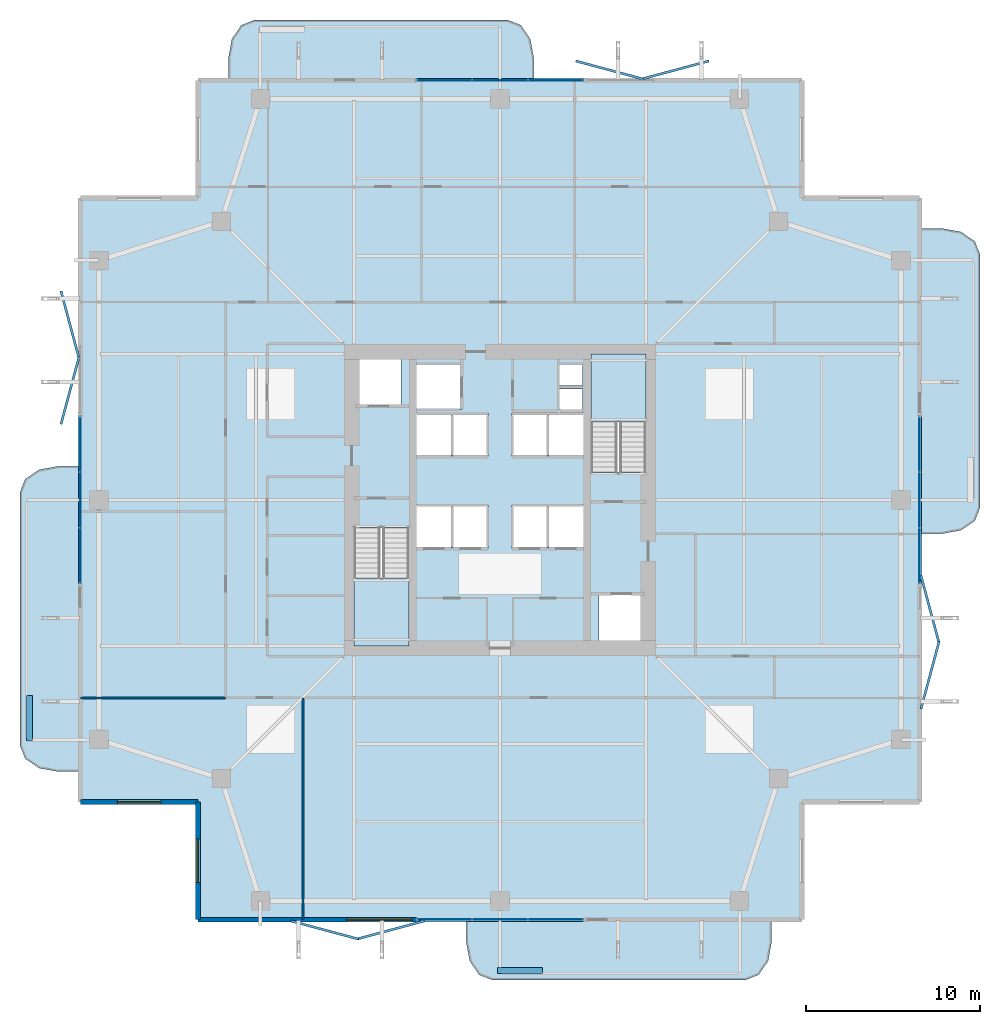
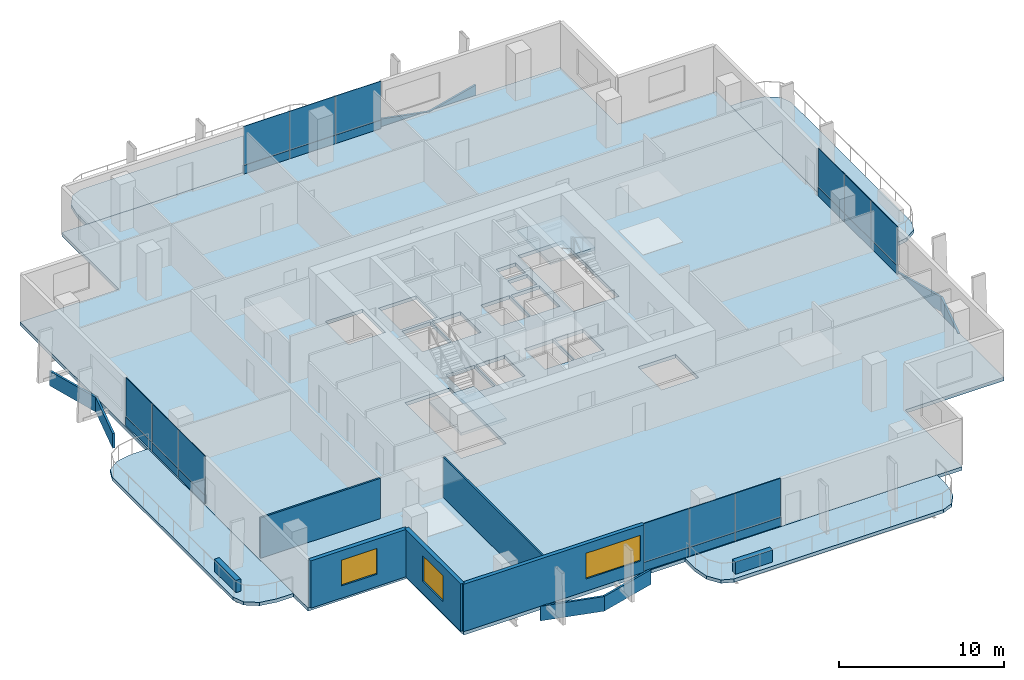
# One storey, part 17 of 24: 32 plates, 7 slabs, 7 walls, 3 windows, 3 openings, 6 elements without a shape of their own.
"""IFC4 building model written with IfcOpenShell, lengths in metres."""

from ifc_helpers import new_model, si_unit, direction, frame, frame_2d, origin, origin_2d, place, context, subcontext, project, spatial, polyline, rectangle, outline, extrude, material, layer, layer_set, type_object, element, fill, aggregate, save


model = new_model("IFC4")

# Units and contexts
model_context = context("Model", 3, precision=1e-05, world=origin(), true_north=direction((0.0, 1.0)))
body_context = subcontext(model_context, "Body", "Model", "MODEL_VIEW")
ifc_project = project(units=[si_unit("LENGTHUNIT", "METRE"), si_unit("AREAUNIT", "SQUARE_METRE"), si_unit("VOLUMEUNIT", "CUBIC_METRE"), si_unit("PLANEANGLEUNIT", "RADIAN"), si_unit("MASSUNIT", "GRAM", prefix="KILO")], contexts=[model_context])

# Site, building, storey
site_placement = place(None, origin())
site = spatial("IfcSite", under=ifc_project, at=site_placement, CompositionType="ELEMENT")
building_placement = place(site_placement, origin())
building = spatial("IfcBuilding", under=site, at=building_placement, Name="Belovzor Exchange Tower", CompositionType="ELEMENT")
storey_placement = place(building_placement, frame((0.0, 0.0, 145.800048828125)))
storey = spatial("IfcBuildingStorey", under=building, at=storey_placement, Name="L35", CompositionType="ELEMENT", Elevation=145.800048828125)

# Slab
ifc_material_1 = material(Name="Concrete C40/50", Category="concrete")
ifc_layer_1 = layer(ifc_material_1, 0.2548828125)
ifc_layer_set_1 = layer_set([ifc_layer_1], Name="Concrete C40/50")
slab_type_1 = type_object("IfcSlabType", Name="Composite Waist Floor Deck Slab 255", PredefinedType="FLOOR", material=ifc_layer_set_1)
slab_1_placement = place(storey_placement, frame((0.0, 0.0, -0.255126953125)))
element("IfcSlab", 1, at=slab_1_placement, inside=storey, type_object=slab_type_1, Name="SL-F255 Structural Slab L35", PredefinedType="FLOOR", context=body_context, shape_type="SweptSolid", body=[
    extrude(outline(polyline([(11.39990234375, 4.5), (46.199951171875, 4.5), (46.199951171875, 11.39990234375), (53.10009765625, 11.39990234375), (53.10009765625, 46.199951171875), (46.199951171875, 46.199951171875), (46.199951171875, 53.10009765625), (11.39990234375, 53.10009765625), (11.39990234375, 46.199951171875), (4.5, 46.199951171875), (4.5, 11.39990234375), (11.39990234375, 11.39990234375), (11.39990234375, 4.5)]), holes=[polyline([(20.39990234375, 27.175048828125), (20.39990234375, 20.39990234375), (23.550048828125, 20.39990234375), (23.550048828125, 27.175048828125), (20.39990234375, 27.175048828125)]), polyline([(37.199951171875, 30.425048828125), (37.199951171875, 37.199951171875), (34.050048828125, 37.199951171875), (34.050048828125, 30.425048828125), (37.199951171875, 30.425048828125)]), polyline([(20.5, 34.199951171875), (23.10009765625, 34.199951171875), (23.10009765625, 37.0), (20.5, 37.0), (20.5, 34.199951171875)]), polyline([(34.5, 20.60009765625), (37.10009765625, 20.60009765625), (37.10009765625, 23.39990234375), (34.5, 23.39990234375), (34.5, 20.60009765625)]), polyline([(24.0, 34.0), (26.60009765625, 34.0), (26.60009765625, 36.60009765625), (24.0, 36.60009765625), (24.0, 34.0)]), polyline([(24.0, 26.0), (26.0, 26.0), (26.0, 28.5), (24.0, 28.5), (24.0, 26.0)]), polyline([(26.10009765625, 26.0), (28.10009765625, 26.0), (28.10009765625, 28.5), (26.10009765625, 28.5), (26.10009765625, 26.0)]), polyline([(29.5, 26.0), (31.5, 26.0), (31.5, 28.5), (29.5, 28.5), (29.5, 26.0)]), polyline([(31.60009765625, 26.0), (33.60009765625, 26.0), (33.60009765625, 28.5), (31.60009765625, 28.5), (31.60009765625, 26.0)]), polyline([(24.0, 31.300048828125), (26.0, 31.300048828125), (26.0, 33.800048828125), (24.0, 33.800048828125), (24.0, 31.300048828125)]), polyline([(26.10009765625, 31.300048828125), (28.10009765625, 31.300048828125), (28.10009765625, 33.800048828125), (26.10009765625, 33.800048828125), (26.10009765625, 31.300048828125)]), polyline([(29.5, 31.300048828125), (31.5, 31.300048828125), (31.5, 33.800048828125), (29.5, 33.800048828125), (29.5, 31.300048828125)]), polyline([(31.60009765625, 31.300048828125), (33.60009765625, 31.300048828125), (33.60009765625, 33.800048828125), (31.60009765625, 33.800048828125), (31.60009765625, 31.300048828125)]), polyline([(32.199951171875, 34.0), (33.550048828125, 34.0), (33.550048828125, 35.199951171875), (32.199951171875, 35.199951171875), (32.199951171875, 34.0)]), polyline([(32.199951171875, 35.39990234375), (33.550048828125, 35.39990234375), (33.550048828125, 36.60009765625), (32.199951171875, 36.60009765625), (32.199951171875, 35.39990234375)])]), origin(), (0.0, 0.0, 1.0), 0.255126953125),
])

# Curtain wall, plates
ifc_material_2 = material(Name="Anodised Aluminium Framing", Category="aluminium")
ifc_layer_2 = layer(ifc_material_2, 0.179931640625)
ifc_layer_set_2 = layer_set([ifc_layer_2], Name="Anodised Aluminium Framing")
curtain_wall_type = type_object("IfcCurtainWallType", Name="Recessed Loggia Low-Iron Triple-Glazed Curtain Wall", PredefinedType="NOTDEFINED", material=ifc_layer_set_2)
curtain_wall_1_placement = place(storey_placement, origin())
curtain_wall_1 = element("IfcCurtainWall", 2, at=curtain_wall_1_placement, inside=storey, type_object=curtain_wall_type, Name="CW3 Recessed Loggia Low-Iron Triple-Glazed Curtain Wall L35", PredefinedType="NOTDEFINED")
ifc_material_3 = material(Name="Solar-Control Triple Glazing", Category="glass")
ifc_layer_3 = layer(ifc_material_3, 0.0439453125)
ifc_layer_set_3 = layer_set([ifc_layer_3], Name="Solar-Control Triple Glazing")
plate_type_1 = type_object("IfcPlateType", Name="Insulated Solar Glazing Curtain Panel 44", PredefinedType="CURTAIN_PANEL", material=ifc_layer_set_3)
plate_1_placement = place(storey_placement, frame((32.0, 4.6298828125, 0.630859375), z_axis=(0.0, 0.0, 1.0), x_axis=(-1.0, 0.0, 0.0)))
plate_1 = element("IfcPlate", 3, at=plate_1_placement, type_object=plate_type_1, Name="GLZ-44 Glazed Curtain Panel 1", PredefinedType="CURTAIN_PANEL", context=body_context, shape_type="SweptSolid", body=[
    extrude(rectangle(XDim=3.18408203125, YDim=0.0439453125, at=origin_2d()), origin(), (0.0, 0.0, 1.0), 2.864013671875),
])
plate_2_placement = place(storey_placement, frame((28.800048828125, 4.6298828125, 0.630859375), z_axis=(0.0, 0.0, 1.0), x_axis=(-1.0, 0.0, 0.0)))
plate_2 = element("IfcPlate", 4, at=plate_2_placement, type_object=plate_type_1, Name="GLZ-44 Glazed Curtain Panel 2", PredefinedType="CURTAIN_PANEL", context=body_context, shape_type="SweptSolid", body=[
    extrude(rectangle(XDim=3.18408203125, YDim=0.0439453125, at=origin_2d()), origin(), (0.0, 0.0, 1.0), 2.864013671875),
])
plate_3_placement = place(storey_placement, frame((25.60009765625, 4.6298828125, 0.630859375), z_axis=(0.0, 0.0, 1.0), x_axis=(-1.0, 0.0, 0.0)))
plate_3 = element("IfcPlate", 5, at=plate_3_placement, type_object=plate_type_1, Name="GLZ-44 Glazed Curtain Panel 3", PredefinedType="CURTAIN_PANEL", context=body_context, shape_type="SweptSolid", body=[
    extrude(rectangle(XDim=3.18408203125, YDim=0.0439453125, at=origin_2d()), origin(), (0.0, 0.0, 1.0), 2.864013671875),
])

curtain_wall_2_placement = place(storey_placement, origin())
curtain_wall_2 = element("IfcCurtainWall", 6, at=curtain_wall_2_placement, inside=storey, type_object=curtain_wall_type, Name="CW3 Recessed Loggia Low-Iron Triple-Glazed Curtain Wall L35", PredefinedType="NOTDEFINED")
plate_4_placement = place(storey_placement, frame((25.60009765625, 52.969970703125, 0.630859375), z_axis=(0.0, 0.0, 1.0), x_axis=(1.0, 0.0, 0.0)))
plate_4 = element("IfcPlate", 7, at=plate_4_placement, type_object=plate_type_1, Name="GLZ-44 Glazed Curtain Panel 1", PredefinedType="CURTAIN_PANEL", context=body_context, shape_type="SweptSolid", body=[
    extrude(rectangle(XDim=3.18408203125, YDim=0.0439453125, at=origin_2d()), origin(), (0.0, 0.0, 1.0), 2.864013671875),
])
plate_5_placement = place(storey_placement, frame((28.800048828125, 52.969970703125, 0.630859375), z_axis=(0.0, 0.0, 1.0), x_axis=(1.0, 0.0, 0.0)))
plate_5 = element("IfcPlate", 8, at=plate_5_placement, type_object=plate_type_1, Name="GLZ-44 Glazed Curtain Panel 2", PredefinedType="CURTAIN_PANEL", context=body_context, shape_type="SweptSolid", body=[
    extrude(rectangle(XDim=3.18408203125, YDim=0.0439453125, at=origin_2d()), origin(), (0.0, 0.0, 1.0), 2.864013671875),
])
plate_6_placement = place(storey_placement, frame((32.0, 52.969970703125, 0.630859375), z_axis=(0.0, 0.0, 1.0), x_axis=(1.0, 0.0, 0.0)))
plate_6 = element("IfcPlate", 9, at=plate_6_placement, type_object=plate_type_1, Name="GLZ-44 Glazed Curtain Panel 3", PredefinedType="CURTAIN_PANEL", context=body_context, shape_type="SweptSolid", body=[
    extrude(rectangle(XDim=3.18408203125, YDim=0.0439453125, at=origin_2d()), origin(), (0.0, 0.0, 1.0), 2.864013671875),
])

curtain_wall_3_placement = place(storey_placement, origin())
curtain_wall_3 = element("IfcCurtainWall", 10, at=curtain_wall_3_placement, inside=storey, type_object=curtain_wall_type, Name="CW3 Recessed Loggia Low-Iron Triple-Glazed Curtain Wall L35", PredefinedType="NOTDEFINED")
plate_7_placement = place(storey_placement, frame((4.6298828125, 25.60009765625, 0.630859375), z_axis=(0.0, 0.0, 1.0), x_axis=(0.0, 1.0, 0.0)))
plate_7 = element("IfcPlate", 11, at=plate_7_placement, type_object=plate_type_1, Name="GLZ-44 Glazed Curtain Panel 1", PredefinedType="CURTAIN_PANEL", context=body_context, shape_type="SweptSolid", body=[
    extrude(rectangle(XDim=3.18408203125, YDim=0.0439453125, at=origin_2d()), origin(), (0.0, 0.0, 1.0), 2.864013671875),
])
plate_8_placement = place(storey_placement, frame((4.6298828125, 28.800048828125, 0.630859375), z_axis=(0.0, 0.0, 1.0), x_axis=(0.0, 1.0, 0.0)))
plate_8 = element("IfcPlate", 12, at=plate_8_placement, type_object=plate_type_1, Name="GLZ-44 Glazed Curtain Panel 2", PredefinedType="CURTAIN_PANEL", context=body_context, shape_type="SweptSolid", body=[
    extrude(rectangle(XDim=3.18408203125, YDim=0.0439453125, at=origin_2d()), origin(), (0.0, 0.0, 1.0), 2.864013671875),
])
plate_9_placement = place(storey_placement, frame((4.6298828125, 32.0, 0.630859375), z_axis=(0.0, 0.0, 1.0), x_axis=(0.0, 1.0, 0.0)))
plate_9 = element("IfcPlate", 13, at=plate_9_placement, type_object=plate_type_1, Name="GLZ-44 Glazed Curtain Panel 3", PredefinedType="CURTAIN_PANEL", context=body_context, shape_type="SweptSolid", body=[
    extrude(rectangle(XDim=3.18408203125, YDim=0.0439453125, at=origin_2d()), origin(), (0.0, 0.0, 1.0), 2.864013671875),
])

curtain_wall_4_placement = place(storey_placement, origin())
curtain_wall_4 = element("IfcCurtainWall", 14, at=curtain_wall_4_placement, inside=storey, type_object=curtain_wall_type, Name="CW3 Recessed Loggia Low-Iron Triple-Glazed Curtain Wall L35", PredefinedType="NOTDEFINED")
plate_10_placement = place(storey_placement, frame((52.969970703125, 32.0, 0.630859375), z_axis=(0.0, 0.0, 1.0), x_axis=(0.0, -1.0, 0.0)))
plate_10 = element("IfcPlate", 15, at=plate_10_placement, type_object=plate_type_1, Name="GLZ-44 Glazed Curtain Panel 1", PredefinedType="CURTAIN_PANEL", context=body_context, shape_type="SweptSolid", body=[
    extrude(rectangle(XDim=3.18408203125, YDim=0.0439453125, at=origin_2d()), origin(), (0.0, 0.0, 1.0), 2.864013671875),
])
plate_11_placement = place(storey_placement, frame((52.969970703125, 28.800048828125, 0.630859375), z_axis=(0.0, 0.0, 1.0), x_axis=(0.0, -1.0, 0.0)))
plate_11 = element("IfcPlate", 16, at=plate_11_placement, type_object=plate_type_1, Name="GLZ-44 Glazed Curtain Panel 2", PredefinedType="CURTAIN_PANEL", context=body_context, shape_type="SweptSolid", body=[
    extrude(rectangle(XDim=3.18408203125, YDim=0.0439453125, at=origin_2d()), origin(), (0.0, 0.0, 1.0), 2.864013671875),
])
plate_12_placement = place(storey_placement, frame((52.969970703125, 25.60009765625, 0.630859375), z_axis=(0.0, 0.0, 1.0), x_axis=(0.0, -1.0, 0.0)))
plate_12 = element("IfcPlate", 17, at=plate_12_placement, type_object=plate_type_1, Name="GLZ-44 Glazed Curtain Panel 3", PredefinedType="CURTAIN_PANEL", context=body_context, shape_type="SweptSolid", body=[
    extrude(rectangle(XDim=3.18408203125, YDim=0.0439453125, at=origin_2d()), origin(), (0.0, 0.0, 1.0), 2.864013671875),
])

# Plates
ifc_material_4 = material(Name="Extruded Architectural Terracotta", Category="masonry")
ifc_layer_4 = layer(ifc_material_4, 0.139892578125)
ifc_layer_set_4 = layer_set([ifc_layer_4], Name="Extruded Architectural Terracotta")
plate_type_2 = type_object("IfcPlateType", Name="Mid-Tower Folded Zigzag Terracotta Spandrel Louvre 120", PredefinedType="USERDEFINED", material=ifc_layer_set_4)
for number, where, z_axis, x_axis, name in (
    (18, (18.699951171875, 4.030029296875, -1.065185546875), (0.0, 0.0, 1.0), (0.965812803231, -0.259240485101, 0.0), "LVR-ZZ2 Zigzag Terracotta Spandrel Louvre L35 S1A"),
    (19, (22.5, 4.030029296875, -1.065185546875), (0.0, 0.0, 1.0), (0.965812803231, 0.259240485101, 0.0), "LVR-ZZ2 Zigzag Terracotta Spandrel Louvre L35 S1B"),
    (20, (53.570068359375, 18.699951171875, -1.065185546875), (0.0, 0.0, 1.0), (0.259240485101, 0.965812803231, 0.0), "LVR-ZZ2 Zigzag Terracotta Spandrel Louvre L35 E1A"),
    (21, (53.570068359375, 22.5, -1.065185546875), (0.0, 0.0, 1.0), (-0.259240485101, 0.965812803231, 0.0), "LVR-ZZ2 Zigzag Terracotta Spandrel Louvre L35 E1B"),
    (22, (35.10009765625, 53.570068359375, -1.065185546875), (0.0, 0.0, 1.0), (0.965812803231, -0.259240485101, 0.0), "LVR-ZZ2 Zigzag Terracotta Spandrel Louvre L35 N2A"),
    (23, (38.89990234375, 53.570068359375, -1.065185546875), (0.0, 0.0, 1.0), (0.965812803231, 0.259240485101, 0.0), "LVR-ZZ2 Zigzag Terracotta Spandrel Louvre L35 N2B"),
    (24, (4.030029296875, 35.10009765625, -1.065185546875), (0.0, 0.0, 1.0), (0.259240485101, 0.965812803231, 0.0), "LVR-ZZ2 Zigzag Terracotta Spandrel Louvre L35 W2A"),
    (25, (4.030029296875, 38.89990234375, -1.065185546875), (0.0, 0.0, 1.0), (-0.259240485101, 0.965812803231, 0.0), "LVR-ZZ2 Zigzag Terracotta Spandrel Louvre L35 W2B"),
):
    element("IfcPlate", number, at=place(storey_placement, frame(where, z_axis=z_axis, x_axis=x_axis)), inside=storey, type_object=plate_type_2, Name=name, ObjectType="SPANDREL_LOUVRE", PredefinedType="USERDEFINED", context=body_context, shape_type="SweptSolid", body=[
        extrude(rectangle(XDim=4.014892578125, YDim=0.139892578125, at=origin_2d()), origin(), (0.0, 0.0, 1.0), 1.080078125),
    ])

# Stair, slab
ifc_material_5 = material(Name="Concrete C40/50", Category="concrete")
stair_type = type_object("IfcStairType", Name="Reinforced Concrete Dogleg Escape Stair 1350", PredefinedType="HALF_TURN_STAIR", material=ifc_material_5)
stair_1_placement = place(storey_placement, origin())
stair_1 = element("IfcStair", 26, at=stair_1_placement, inside=storey, type_object=stair_type, Name="L35 ST-1", PredefinedType="HALF_TURN_STAIR")
ifc_material_6 = material(Name="Concrete C40/50", Category="concrete")
ifc_layer_5 = layer(ifc_material_6, 0.199951171875)
ifc_layer_set_5 = layer_set([ifc_layer_5], Name="Concrete C40/50")
slab_type_2 = type_object("IfcSlabType", Name="Reinforced Concrete Stair Half-Landing Slab 200", PredefinedType="LANDING", material=ifc_layer_set_5)
slab_2_placement = place(storey_placement, frame((0.0, 0.0, 1.675048828125)))
slab_2 = element("IfcSlab", 27, at=slab_2_placement, type_object=slab_type_2, Name="ST-1 landing 1", PredefinedType="LANDING", context=body_context, shape_type="SweptSolid", body=[
    extrude(outline(polyline([(20.39990234375, 24.300048828125), (20.39990234375, 20.39990234375), (23.550048828125, 20.39990234375), (23.550048828125, 24.300048828125), (20.39990234375, 24.300048828125)])), origin(), (0.0, 0.0, 1.0), 0.199951171875),
])
aggregate(stair_1, [slab_2])

stair_2_placement = place(storey_placement, origin())
stair_2 = element("IfcStair", 28, at=stair_2_placement, inside=storey, type_object=stair_type, Name="L35 ST-2", PredefinedType="HALF_TURN_STAIR")
slab_3_placement = place(storey_placement, frame((0.0, 0.0, 1.675048828125)))
slab_3 = element("IfcSlab", 29, at=slab_3_placement, type_object=slab_type_2, Name="ST-2 landing 1", PredefinedType="LANDING", context=body_context, shape_type="SweptSolid", body=[
    extrude(outline(polyline([(37.199951171875, 33.300048828125), (37.199951171875, 37.199951171875), (34.050048828125, 37.199951171875), (34.050048828125, 33.300048828125), (37.199951171875, 33.300048828125)])), origin(), (0.0, 0.0, 1.0), 0.199951171875),
])
aggregate(stair_2, [slab_3])

# Plate
ifc_material_7 = material(Name="Extruded Architectural Terracotta", Category="masonry")
ifc_layer_6 = layer(ifc_material_7, 0.090087890625)
ifc_layer_set_6 = layer_set([ifc_layer_6], Name="Extruded Architectural Terracotta")
plate_type_3 = type_object("IfcPlateType", Name="Terracotta Shadow-Box Spandrel Panel 90", PredefinedType="CURTAIN_PANEL", material=ifc_layer_set_6)
plate_13_placement = place(storey_placement, frame((32.0, 4.6298828125, 0.00048828125), z_axis=(0.0, 0.0, 1.0), x_axis=(-1.0, 0.0, 0.0)))
plate_13 = element("IfcPlate", 30, at=plate_13_placement, type_object=plate_type_3, Name="SPD-90 Spandrel Panel 1", PredefinedType="CURTAIN_PANEL", context=body_context, shape_type="SweptSolid", body=[
    extrude(rectangle(XDim=3.18408203125, YDim=0.090087890625, at=origin_2d()), origin(), (0.0, 0.0, 1.0), 0.626953125),
])

plate_14_placement = place(storey_placement, frame((28.800048828125, 4.6298828125, 0.00048828125), z_axis=(0.0, 0.0, 1.0), x_axis=(-1.0, 0.0, 0.0)))
plate_14 = element("IfcPlate", 31, at=plate_14_placement, type_object=plate_type_3, Name="SPD-90 Spandrel Panel 2", PredefinedType="CURTAIN_PANEL", context=body_context, shape_type="SweptSolid", body=[
    extrude(rectangle(XDim=3.18408203125, YDim=0.090087890625, at=origin_2d()), origin(), (0.0, 0.0, 1.0), 0.626953125),
])

plate_15_placement = place(storey_placement, frame((25.60009765625, 4.6298828125, 0.00048828125), z_axis=(0.0, 0.0, 1.0), x_axis=(-1.0, 0.0, 0.0)))
plate_15 = element("IfcPlate", 32, at=plate_15_placement, type_object=plate_type_3, Name="SPD-90 Spandrel Panel 3", PredefinedType="CURTAIN_PANEL", context=body_context, shape_type="SweptSolid", body=[
    extrude(rectangle(XDim=3.18408203125, YDim=0.090087890625, at=origin_2d()), origin(), (0.0, 0.0, 1.0), 0.626953125),
])

aggregate(curtain_wall_1, [plate_13, plate_1, plate_14, plate_2, plate_15, plate_3])

plate_16_placement = place(storey_placement, frame((25.60009765625, 52.969970703125, 0.00048828125), z_axis=(0.0, 0.0, 1.0), x_axis=(1.0, 0.0, 0.0)))
plate_16 = element("IfcPlate", 33, at=plate_16_placement, type_object=plate_type_3, Name="SPD-90 Spandrel Panel 1", PredefinedType="CURTAIN_PANEL", context=body_context, shape_type="SweptSolid", body=[
    extrude(rectangle(XDim=3.18408203125, YDim=0.090087890625, at=origin_2d()), origin(), (0.0, 0.0, 1.0), 0.626953125),
])

plate_17_placement = place(storey_placement, frame((28.800048828125, 52.969970703125, 0.00048828125), z_axis=(0.0, 0.0, 1.0), x_axis=(1.0, 0.0, 0.0)))
plate_17 = element("IfcPlate", 34, at=plate_17_placement, type_object=plate_type_3, Name="SPD-90 Spandrel Panel 2", PredefinedType="CURTAIN_PANEL", context=body_context, shape_type="SweptSolid", body=[
    extrude(rectangle(XDim=3.18408203125, YDim=0.090087890625, at=origin_2d()), origin(), (0.0, 0.0, 1.0), 0.626953125),
])

plate_18_placement = place(storey_placement, frame((32.0, 52.969970703125, 0.00048828125), z_axis=(0.0, 0.0, 1.0), x_axis=(1.0, 0.0, 0.0)))
plate_18 = element("IfcPlate", 35, at=plate_18_placement, type_object=plate_type_3, Name="SPD-90 Spandrel Panel 3", PredefinedType="CURTAIN_PANEL", context=body_context, shape_type="SweptSolid", body=[
    extrude(rectangle(XDim=3.18408203125, YDim=0.090087890625, at=origin_2d()), origin(), (0.0, 0.0, 1.0), 0.626953125),
])

aggregate(curtain_wall_2, [plate_16, plate_4, plate_17, plate_5, plate_18, plate_6])

plate_19_placement = place(storey_placement, frame((4.6298828125, 25.60009765625, 0.00048828125), z_axis=(0.0, 0.0, 1.0), x_axis=(0.0, 1.0, 0.0)))
plate_19 = element("IfcPlate", 36, at=plate_19_placement, type_object=plate_type_3, Name="SPD-90 Spandrel Panel 1", PredefinedType="CURTAIN_PANEL", context=body_context, shape_type="SweptSolid", body=[
    extrude(rectangle(XDim=3.18408203125, YDim=0.090087890625, at=origin_2d()), origin(), (0.0, 0.0, 1.0), 0.626953125),
])

plate_20_placement = place(storey_placement, frame((4.6298828125, 28.800048828125, 0.00048828125), z_axis=(0.0, 0.0, 1.0), x_axis=(0.0, 1.0, 0.0)))
plate_20 = element("IfcPlate", 37, at=plate_20_placement, type_object=plate_type_3, Name="SPD-90 Spandrel Panel 2", PredefinedType="CURTAIN_PANEL", context=body_context, shape_type="SweptSolid", body=[
    extrude(rectangle(XDim=3.18408203125, YDim=0.090087890625, at=origin_2d()), origin(), (0.0, 0.0, 1.0), 0.626953125),
])

plate_21_placement = place(storey_placement, frame((4.6298828125, 32.0, 0.00048828125), z_axis=(0.0, 0.0, 1.0), x_axis=(0.0, 1.0, 0.0)))
plate_21 = element("IfcPlate", 38, at=plate_21_placement, type_object=plate_type_3, Name="SPD-90 Spandrel Panel 3", PredefinedType="CURTAIN_PANEL", context=body_context, shape_type="SweptSolid", body=[
    extrude(rectangle(XDim=3.18408203125, YDim=0.090087890625, at=origin_2d()), origin(), (0.0, 0.0, 1.0), 0.626953125),
])

aggregate(curtain_wall_3, [plate_19, plate_7, plate_20, plate_8, plate_21, plate_9])

plate_22_placement = place(storey_placement, frame((52.969970703125, 32.0, 0.00048828125), z_axis=(0.0, 0.0, 1.0), x_axis=(0.0, -1.0, 0.0)))
plate_22 = element("IfcPlate", 39, at=plate_22_placement, type_object=plate_type_3, Name="SPD-90 Spandrel Panel 1", PredefinedType="CURTAIN_PANEL", context=body_context, shape_type="SweptSolid", body=[
    extrude(rectangle(XDim=3.18408203125, YDim=0.090087890625, at=origin_2d()), origin(), (0.0, 0.0, 1.0), 0.626953125),
])

plate_23_placement = place(storey_placement, frame((52.969970703125, 28.800048828125, 0.00048828125), z_axis=(0.0, 0.0, 1.0), x_axis=(0.0, -1.0, 0.0)))
plate_23 = element("IfcPlate", 40, at=plate_23_placement, type_object=plate_type_3, Name="SPD-90 Spandrel Panel 2", PredefinedType="CURTAIN_PANEL", context=body_context, shape_type="SweptSolid", body=[
    extrude(rectangle(XDim=3.18408203125, YDim=0.090087890625, at=origin_2d()), origin(), (0.0, 0.0, 1.0), 0.626953125),
])

plate_24_placement = place(storey_placement, frame((52.969970703125, 25.60009765625, 0.00048828125), z_axis=(0.0, 0.0, 1.0), x_axis=(0.0, -1.0, 0.0)))
plate_24 = element("IfcPlate", 41, at=plate_24_placement, type_object=plate_type_3, Name="SPD-90 Spandrel Panel 3", PredefinedType="CURTAIN_PANEL", context=body_context, shape_type="SweptSolid", body=[
    extrude(rectangle(XDim=3.18408203125, YDim=0.090087890625, at=origin_2d()), origin(), (0.0, 0.0, 1.0), 0.626953125),
])

aggregate(curtain_wall_4, [plate_22, plate_10, plate_23, plate_11, plate_24, plate_12])

# Slabs
ifc_material_8 = material(Name="Concrete C40/50", Category="concrete")
ifc_layer_7 = layer(ifc_material_8, 0.25)
ifc_layer_set_7 = layer_set([ifc_layer_7], Name="Concrete C40/50")
slab_type_3 = type_object("IfcSlabType", Name="Thermally Broken Planted Balcony Slab 250", PredefinedType="FLOOR", material=ifc_layer_set_7)
slab_4_placement = place(storey_placement, frame((0.0, 0.0, -0.25)))
element("IfcSlab", 42, at=slab_4_placement, inside=storey, type_object=slab_type_3, Name="SL-BAL220 Planted Balcony Loggia L35 South", PredefinedType="FLOOR", context=body_context, shape_type="SweptSolid", body=[
    extrude(outline(polyline([(26.85009765625, 4.514892578125), (26.85009765625, 3.35009765625), (27.051025390625, 2.25), (27.60009765625, 1.445068359375), (28.35009765625, 1.14990234375), (42.949951171875, 1.14990234375), (43.699951171875, 1.445068359375), (44.2490234375, 2.25), (44.449951171875, 3.35009765625), (44.449951171875, 4.514892578125), (26.85009765625, 4.514892578125)])), origin(), (0.0, 0.0, 1.0), 0.25),
])
slab_5_placement = place(storey_placement, frame((0.0, 0.0, -0.25)))
element("IfcSlab", 43, at=slab_5_placement, inside=storey, type_object=slab_type_3, Name="SL-BAL220 Planted Balcony Loggia L35 North", PredefinedType="FLOOR", context=body_context, shape_type="SweptSolid", body=[
    extrude(outline(polyline([(30.75, 53.0849609375), (30.75, 54.25), (30.549072265625, 55.35009765625), (30.0, 56.155029296875), (29.25, 56.449951171875), (14.64990234375, 56.449951171875), (13.89990234375, 56.155029296875), (13.35107421875, 55.35009765625), (13.14990234375, 54.25), (13.14990234375, 53.0849609375), (30.75, 53.0849609375)])), origin(), (0.0, 0.0, 1.0), 0.25),
])
slab_6_placement = place(storey_placement, frame((0.0, 0.0, -0.25)))
element("IfcSlab", 44, at=slab_6_placement, inside=storey, type_object=slab_type_3, Name="SL-BAL220 Planted Balcony Loggia L35 East", PredefinedType="FLOOR", context=body_context, shape_type="SweptSolid", body=[
    extrude(outline(polyline([(53.0849609375, 26.85009765625), (54.25, 26.85009765625), (55.35009765625, 27.051025390625), (56.155029296875, 27.60009765625), (56.449951171875, 28.35009765625), (56.449951171875, 42.949951171875), (56.155029296875, 43.699951171875), (55.35009765625, 44.2490234375), (54.25, 44.449951171875), (53.0849609375, 44.449951171875), (53.0849609375, 26.85009765625)])), origin(), (0.0, 0.0, 1.0), 0.25),
])
slab_7_placement = place(storey_placement, frame((0.0, 0.0, -0.25)))
element("IfcSlab", 45, at=slab_7_placement, inside=storey, type_object=slab_type_3, Name="SL-BAL220 Planted Balcony Loggia L35 West", PredefinedType="FLOOR", context=body_context, shape_type="SweptSolid", body=[
    extrude(outline(polyline([(4.514892578125, 30.75), (3.35009765625, 30.75), (2.25, 30.549072265625), (1.445068359375, 30.0), (1.14990234375, 29.25), (1.14990234375, 14.64990234375), (1.445068359375, 13.89990234375), (2.25, 13.35107421875), (3.35009765625, 13.14990234375), (4.514892578125, 13.14990234375), (4.514892578125, 30.75)])), origin(), (0.0, 0.0, 1.0), 0.25),
])

# Walls
ifc_material_9 = material(Name="Acoustic Plasterboard on Galvanised Studs", Category="gypsum")
ifc_layer_8 = layer(ifc_material_9, 0.1201171875)
ifc_layer_set_8 = layer_set([ifc_layer_8], Name="Acoustic Plasterboard on Galvanised Studs")
wall_type_1 = type_object("IfcWallType", Name="Acoustic Double-Stud Partition Wall 120", PredefinedType="PARTITIONING", material=ifc_layer_set_8)
wall_1_placement = place(storey_placement, frame((17.4599609375, 4.6298828125, 0.0), z_axis=(0.0, 0.0, 1.0), x_axis=(0.0, 1.0, 0.0)))
element("IfcWall", 46, at=wall_1_placement, inside=storey, type_object=wall_type_1, Name="W-P120 Partition Wall W-L35-SDIV-1", PredefinedType="PARTITIONING", context=body_context, shape_type="SweptSolid", body=[
    extrude(rectangle(XDim=12.77001953125, YDim=0.1201171875, at=frame_2d((6.385009765625, 0.0))), origin(), (0.0, 0.0, 1.0), 2.97998046875),
])
wall_2_placement = place(storey_placement, frame((4.6298828125, 17.39990234375, 0.0), z_axis=(0.0, 0.0, 1.0), x_axis=(1.0, 0.0, 0.0)))
element("IfcWall", 47, at=wall_2_placement, inside=storey, type_object=wall_type_1, Name="W-P120 Partition Wall W-L35-END-SW", PredefinedType="PARTITIONING", context=body_context, shape_type="SweptSolid", body=[
    extrude(rectangle(XDim=8.3701171875, YDim=0.1201171875, at=frame_2d((4.18505859375, 0.0))), origin(), (0.0, 0.0, 1.0), 2.97998046875),
])

# Wall, opening, window
ifc_material_10 = material(Name="Precast concrete C40/50", Category="concrete")
ifc_layer_9 = layer(ifc_material_10, 0.280029296875)
ifc_layer_set_9 = layer_set([ifc_layer_9], Name="Precast concrete C40/50")
wall_type_2 = type_object("IfcWallType", Name="Precast Concrete Notched Corner Frame Wall 280", PredefinedType="SOLIDWALL", material=ifc_layer_set_9)
wall_3_placement = place(storey_placement, frame((11.39990234375, 4.6298828125, 0.0), z_axis=(0.0, 0.0, 1.0), x_axis=(0.0, 1.0, 0.0)))
wall_3 = element("IfcWall", 48, at=wall_3_placement, inside=storey, type_object=wall_type_2, Name="W-CRN280 Precast Concrete Notched Corner Frame Wall 280 L35", PredefinedType="SOLIDWALL", context=body_context, shape_type="SweptSolid", body=[
    extrude(rectangle(XDim=6.77001953125, YDim=0.280029296875, at=frame_2d((3.385009765625, 0.0))), origin(), (0.0, 0.0, 1.0), 3.494873046875),
])
opening_1_placement = place(wall_3_placement, frame((2.135009765625, 0.0, 0.89990234375)))
opening_1 = element("IfcOpeningElement", 49, at=opening_1_placement, cuts=wall_3, Name="Opening WN-CRN250", PredefinedType="OPENING", context=body_context, shape_type="SweptSolid", body=[
    extrude(rectangle(XDim=2.5, YDim=1.89990234375, at=frame_2d((1.25, 0.949951171875))), frame((0.0, 0.14990234375, 0.0), z_axis=(0.0, -1.0, 0.0), x_axis=(1.0, 0.0, 0.0)), (0.0, 0.0, 1.0), 0.300048828125),
])
ifc_material_11 = material(Name="Thermally Broken Aluminium and Triple Glazing", Category="aluminium")
window_type_1 = type_object("IfcWindowType", Name="Streamline Moderne Corner Wrap Ribbon Window 2500x1900", PartitioningType="SINGLE_PANEL", PredefinedType="WINDOW", material=ifc_material_11)
window_1_placement = place(opening_1_placement, origin())
window_1 = element("IfcWindow", 50, at=window_1_placement, inside=storey, type_object=window_type_1, Name="WN-CRN250 Streamline Moderne Corner Wrap Ribbon Window 2500x1900", OverallHeight=1.89990234375, OverallWidth=2.5, PartitioningType="SINGLE_PANEL", PredefinedType="WINDOW", context=body_context, shape_type="SweptSolid", body=[
    extrude(rectangle(XDim=2.5, YDim=1.89990234375, at=frame_2d((1.25, 0.949951171875))), frame((0.0, 0.030029296875, 0.0), z_axis=(0.0, -1.0, 0.0), x_axis=(1.0, 0.0, 0.0)), (0.0, 0.0, 1.0), 0.06005859375),
])
fill(opening_1, window_1)

wall_4_placement = place(storey_placement, frame((11.39990234375, 11.39990234375, 0.0), z_axis=(0.0, 0.0, 1.0), x_axis=(-1.0, 0.0, 0.0)))
wall_4 = element("IfcWall", 51, at=wall_4_placement, inside=storey, type_object=wall_type_2, Name="W-CRN280 Precast Concrete Notched Corner Frame Wall 280 L35", PredefinedType="SOLIDWALL", context=body_context, shape_type="SweptSolid", body=[
    extrude(rectangle(XDim=6.77001953125, YDim=0.280029296875, at=frame_2d((3.385009765625, 0.0))), origin(), (0.0, 0.0, 1.0), 3.494873046875),
])
opening_2_placement = place(wall_4_placement, frame((2.135009765625, 0.0, 0.89990234375)))
opening_2 = element("IfcOpeningElement", 52, at=opening_2_placement, cuts=wall_4, Name="Opening WN-CRN250", PredefinedType="OPENING", context=body_context, shape_type="SweptSolid", body=[
    extrude(rectangle(XDim=2.5, YDim=1.89990234375, at=frame_2d((1.25, 0.949951171875))), frame((0.0, 0.14990234375, 0.0), z_axis=(0.0, -1.0, 0.0), x_axis=(1.0, 0.0, 0.0)), (0.0, 0.0, 1.0), 0.300048828125),
])
window_2_placement = place(opening_2_placement, origin())
window_2 = element("IfcWindow", 53, at=window_2_placement, inside=storey, type_object=window_type_1, Name="WN-CRN250 Streamline Moderne Corner Wrap Ribbon Window 2500x1900", OverallHeight=1.89990234375, OverallWidth=2.5, PartitioningType="SINGLE_PANEL", PredefinedType="WINDOW", context=body_context, shape_type="SweptSolid", body=[
    extrude(rectangle(XDim=2.5, YDim=1.89990234375, at=frame_2d((1.25, 0.949951171875))), frame((0.0, 0.030029296875, 0.0), z_axis=(0.0, -1.0, 0.0), x_axis=(1.0, 0.0, 0.0)), (0.0, 0.0, 1.0), 0.06005859375),
])
fill(opening_2, window_2)

ifc_material_12 = material(Name="Precast concrete C40/50", Category="concrete")
ifc_layer_10 = layer(ifc_material_12, 0.260009765625)
ifc_layer_set_10 = layer_set([ifc_layer_10], Name="Precast concrete C40/50")
wall_type_3 = type_object("IfcWallType", Name="Precast Concrete Perimeter Loggia Frame Wall 260", PredefinedType="SOLIDWALL", material=ifc_layer_set_10)
wall_5_placement = place(storey_placement, frame((24.0, 4.6298828125, 0.0), z_axis=(0.0, 0.0, 1.0), x_axis=(-1.0, 0.0, 0.0)))
wall_5 = element("IfcWall", 54, at=wall_5_placement, inside=storey, type_object=wall_type_3, Name="W-EXT260 Precast Concrete Perimeter Loggia Frame Wall 260 L35", PredefinedType="SOLIDWALL", context=body_context, shape_type="SweptSolid", body=[
    extrude(rectangle(XDim=12.60009765625, YDim=0.260009765625, at=frame_2d((6.300048828125, 0.0))), origin(), (0.0, 0.0, 1.0), 3.494873046875),
])
opening_3_placement = place(wall_5_placement, frame((0.25, 0.0, 0.89990234375)))
opening_3 = element("IfcOpeningElement", 55, at=opening_3_placement, cuts=wall_5, Name="Opening WN-RIB380", PredefinedType="OPENING", context=body_context, shape_type="SweptSolid", body=[
    extrude(rectangle(XDim=3.800048828125, YDim=1.89990234375, at=frame_2d((1.89990234375, 0.949951171875))), frame((0.0, 0.139892578125, 0.0), z_axis=(0.0, -1.0, 0.0), x_axis=(1.0, 0.0, 0.0)), (0.0, 0.0, 1.0), 0.280029296875),
])
ifc_material_13 = material(Name="Thermally Broken Aluminium and Triple Glazing", Category="aluminium")
window_type_2 = type_object("IfcWindowType", Name="Streamline Moderne Horizontal Ribbon Window 3800x1900", PartitioningType="SINGLE_PANEL", PredefinedType="WINDOW", material=ifc_material_13)
window_3_placement = place(opening_3_placement, origin())
window_3 = element("IfcWindow", 56, at=window_3_placement, inside=storey, type_object=window_type_2, Name="WN-RIB380 Streamline Moderne Horizontal Ribbon Window 3800x1900", OverallHeight=1.89990234375, OverallWidth=3.800048828125, PartitioningType="SINGLE_PANEL", PredefinedType="WINDOW", context=body_context, shape_type="SweptSolid", body=[
    extrude(rectangle(XDim=3.800048828125, YDim=1.89990234375, at=frame_2d((1.89990234375, 0.949951171875))), frame((0.0, 0.030029296875, 0.0), z_axis=(0.0, -1.0, 0.0), x_axis=(1.0, 0.0, 0.0)), (0.0, 0.0, 1.0), 0.06005859375),
])
fill(opening_3, window_3)

# Walls
ifc_material_14 = material(Name="Precast concrete C40/50", Category="concrete")
ifc_layer_11 = layer(ifc_material_14, 0.35009765625)
ifc_layer_set_11 = layer_set([ifc_layer_11], Name="Precast concrete C40/50")
wall_type_4 = type_object("IfcWallType", Name="Precast Concrete Structural Tree Planter Trough 350", PredefinedType="PARAPET", material=ifc_layer_set_11)
for number, where, z_axis, x_axis, name in (
    (57, (28.64990234375, 1.699951171875, 0.0), (0.0, 0.0, 1.0), (1.0, 0.0, 0.0), "PT-350 Precast Concrete Structural Tree Planter Trough 350 L35"),
    (58, (1.699951171875, 14.949951171875, 0.0), (0.0, 0.0, 1.0), (0.0, 1.0, 0.0), "PT-350 Precast Concrete Structural Tree Planter Trough 350 L35"),
):
    element("IfcWall", number, at=place(storey_placement, frame(where, z_axis=z_axis, x_axis=x_axis)), inside=storey, type_object=wall_type_4, Name=name, PredefinedType="PARAPET", context=body_context, shape_type="SweptSolid", body=[
        extrude(rectangle(XDim=2.60009765625, YDim=0.35009765625, at=frame_2d((1.300048828125, 0.0))), origin(), (0.0, 0.0, 1.0), 0.89990234375),
    ])

save(model, "model.ifc")
